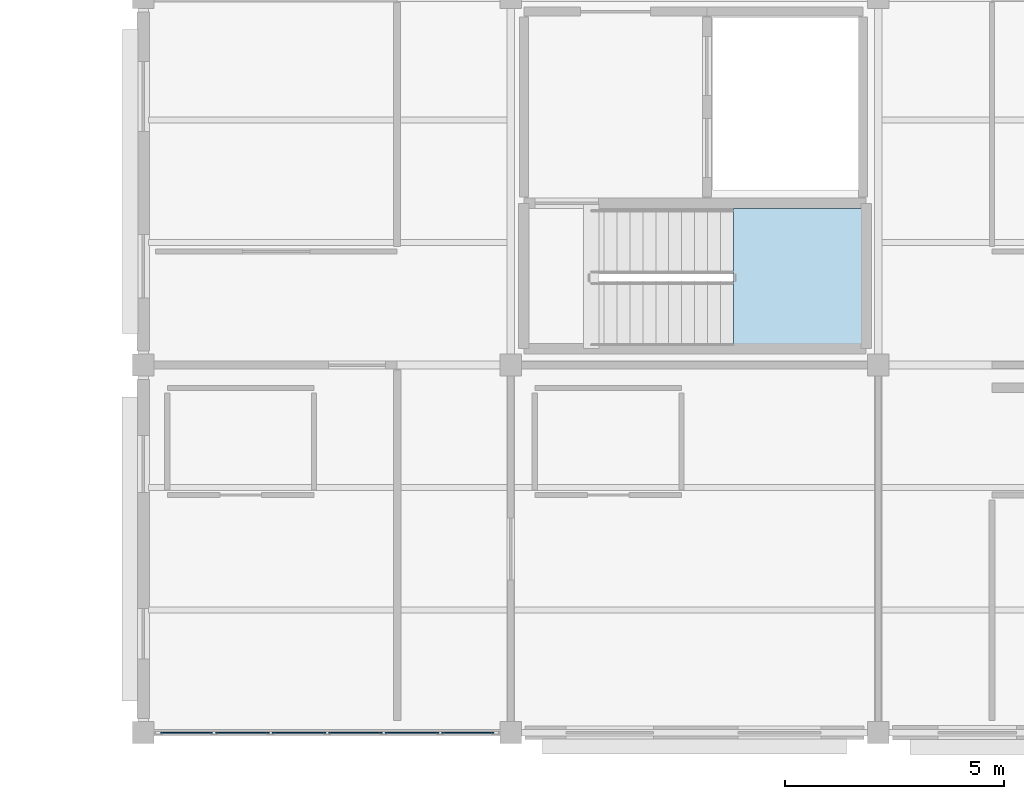
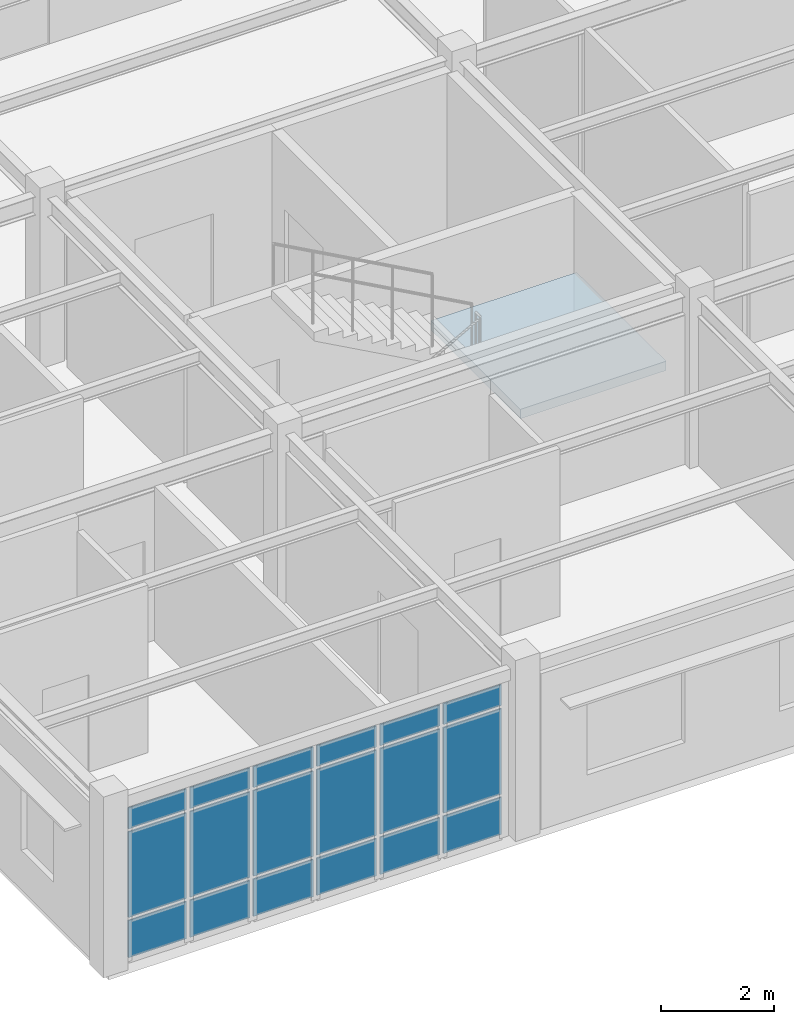
# One storey, part 27 of 53: 18 plates, 1 slab, 2 elements without a shape of their own.
"""IFC4 building model written with IfcOpenShell, lengths in metres."""

from ifc_helpers import new_model, si_unit, direction, frame, origin, origin_2d, place, context, subcontext, project, spatial, polyline, rectangle, outline, extrude, material, layer, layer_set, type_object, element, aggregate, save


model = new_model("IFC4")

# Units and contexts
model_context = context("Model", 3, precision=1e-05, world=origin(), true_north=direction((0.0, 1.0)))
body_context = subcontext(model_context, "Body", "Model", "MODEL_VIEW")
ifc_project = project(units=[si_unit("LENGTHUNIT", "METRE"), si_unit("AREAUNIT", "SQUARE_METRE"), si_unit("VOLUMEUNIT", "CUBIC_METRE"), si_unit("PLANEANGLEUNIT", "RADIAN"), si_unit("MASSUNIT", "GRAM", prefix="KILO")], contexts=[model_context])

# Site, building, storey
site_placement = place(None, origin())
site = spatial("IfcSite", under=ifc_project, at=site_placement, CompositionType="ELEMENT")
building_placement = place(site_placement, origin())
building = spatial("IfcBuilding", under=site, at=building_placement, Name="Bramfleet General Hospital", CompositionType="ELEMENT")
storey_placement = place(building_placement, frame((0.0, 0.0, 26.39990234375)))
storey = spatial("IfcBuildingStorey", under=building, at=storey_placement, Name="L06", CompositionType="ELEMENT", Elevation=26.39990234375)

# Curtain wall, plates
ifc_material_1 = material(Name="Anodised aluminium and low-E triple glazing", Category="aluminium")
ifc_layer_1 = layer(ifc_material_1, 0.179931640625, Name="CWT-CW-05")
ifc_layer_set_1 = layer_set([ifc_layer_1], Name="Anodised aluminium and low-E triple glazing")
curtain_wall_type = type_object("IfcCurtainWallType", Name="CWT-CW-05", PredefinedType="USERDEFINED", material=ifc_layer_set_1)
curtain_wall_placement = place(storey_placement, origin())
curtain_wall = element("IfcCurtainWall", 1, at=curtain_wall_placement, inside=storey, type_object=curtain_wall_type, Name="L06 Curtain Wall 221", ObjectType="Unitised curtain wall", PredefinedType="USERDEFINED")
ifc_material_2 = material(Name="Low-E laminated safety glass", Category="glass")
ifc_layer_2 = layer(ifc_material_2, 0.028076171875, Name="CWP-GLZ-1")
ifc_layer_set_2 = layer_set([ifc_layer_2], Name="Low-E laminated safety glass")
plate_type = type_object("IfcPlateType", Name="CWP-GLZ-1", PredefinedType="CURTAIN_PANEL", material=ifc_layer_set_2)
plate_1_placement = place(storey_placement, frame((99.811767578125, 0.0, 0.06494140625), z_axis=(0.0, 0.0, 1.0), x_axis=(-1.0, 0.0, 0.0)))
plate_1 = element("IfcPlate", 2, at=plate_1_placement, type_object=plate_type, Name="CW-05 panel 1.1", PredefinedType="CURTAIN_PANEL", context=body_context, shape_type="SweptSolid", body=[
    extrude(rectangle(XDim=1.186767578125, YDim=0.028076171875, at=origin_2d()), origin(), (0.0, 0.0, 1.0), 0.802490234375),
])
plate_2_placement = place(storey_placement, frame((99.811767578125, 0.0, 0.9326171875), z_axis=(0.0, 0.0, 1.0), x_axis=(-1.0, 0.0, 0.0)))
plate_2 = element("IfcPlate", 3, at=plate_2_placement, type_object=plate_type, Name="CW-05 panel 1.2", PredefinedType="CURTAIN_PANEL", context=body_context, shape_type="SweptSolid", body=[
    extrude(rectangle(XDim=1.186767578125, YDim=0.028076171875, at=origin_2d()), origin(), (0.0, 0.0, 1.0), 1.844970703125),
])
plate_3_placement = place(storey_placement, frame((99.811767578125, 0.0, 2.8427734375), z_axis=(0.0, 0.0, 1.0), x_axis=(-1.0, 0.0, 0.0)))
plate_3 = element("IfcPlate", 4, at=plate_3_placement, type_object=plate_type, Name="CW-05 panel 1.3", PredefinedType="CURTAIN_PANEL", context=body_context, shape_type="SweptSolid", body=[
    extrude(rectangle(XDim=1.186767578125, YDim=0.028076171875, at=origin_2d()), origin(), (0.0, 0.0, 1.0), 0.452392578125),
])
plate_4_placement = place(storey_placement, frame((98.53759765625, 0.0, 0.06494140625), z_axis=(0.0, 0.0, 1.0), x_axis=(-1.0, 0.0, 0.0)))
plate_4 = element("IfcPlate", 5, at=plate_4_placement, type_object=plate_type, Name="CW-05 panel 2.1", PredefinedType="CURTAIN_PANEL", context=body_context, shape_type="SweptSolid", body=[
    extrude(rectangle(XDim=1.2216796875, YDim=0.028076171875, at=origin_2d()), origin(), (0.0, 0.0, 1.0), 0.802490234375),
])
plate_5_placement = place(storey_placement, frame((98.53759765625, 0.0, 0.9326171875), z_axis=(0.0, 0.0, 1.0), x_axis=(-1.0, 0.0, 0.0)))
plate_5 = element("IfcPlate", 6, at=plate_5_placement, type_object=plate_type, Name="CW-05 panel 2.2", PredefinedType="CURTAIN_PANEL", context=body_context, shape_type="SweptSolid", body=[
    extrude(rectangle(XDim=1.2216796875, YDim=0.028076171875, at=origin_2d()), origin(), (0.0, 0.0, 1.0), 1.844970703125),
])
plate_6_placement = place(storey_placement, frame((98.53759765625, 0.0, 2.8427734375), z_axis=(0.0, 0.0, 1.0), x_axis=(-1.0, 0.0, 0.0)))
plate_6 = element("IfcPlate", 7, at=plate_6_placement, type_object=plate_type, Name="CW-05 panel 2.3", PredefinedType="CURTAIN_PANEL", context=body_context, shape_type="SweptSolid", body=[
    extrude(rectangle(XDim=1.2216796875, YDim=0.028076171875, at=origin_2d()), origin(), (0.0, 0.0, 1.0), 0.452392578125),
])
plate_7_placement = place(storey_placement, frame((97.245849609375, 0.0, 0.06494140625), z_axis=(0.0, 0.0, 1.0), x_axis=(-1.0, 0.0, 0.0)))
plate_7 = element("IfcPlate", 8, at=plate_7_placement, type_object=plate_type, Name="CW-05 panel 3.1", PredefinedType="CURTAIN_PANEL", context=body_context, shape_type="SweptSolid", body=[
    extrude(rectangle(XDim=1.2216796875, YDim=0.028076171875, at=origin_2d()), origin(), (0.0, 0.0, 1.0), 0.802490234375),
])
plate_8_placement = place(storey_placement, frame((97.245849609375, 0.0, 0.9326171875), z_axis=(0.0, 0.0, 1.0), x_axis=(-1.0, 0.0, 0.0)))
plate_8 = element("IfcPlate", 9, at=plate_8_placement, type_object=plate_type, Name="CW-05 panel 3.2", PredefinedType="CURTAIN_PANEL", context=body_context, shape_type="SweptSolid", body=[
    extrude(rectangle(XDim=1.2216796875, YDim=0.028076171875, at=origin_2d()), origin(), (0.0, 0.0, 1.0), 1.844970703125),
])
plate_9_placement = place(storey_placement, frame((97.245849609375, 0.0, 2.8427734375), z_axis=(0.0, 0.0, 1.0), x_axis=(-1.0, 0.0, 0.0)))
plate_9 = element("IfcPlate", 10, at=plate_9_placement, type_object=plate_type, Name="CW-05 panel 3.3", PredefinedType="CURTAIN_PANEL", context=body_context, shape_type="SweptSolid", body=[
    extrude(rectangle(XDim=1.2216796875, YDim=0.028076171875, at=origin_2d()), origin(), (0.0, 0.0, 1.0), 0.452392578125),
])
plate_10_placement = place(storey_placement, frame((95.9541015625, 0.0, 0.06494140625), z_axis=(0.0, 0.0, 1.0), x_axis=(-1.0, 0.0, 0.0)))
plate_10 = element("IfcPlate", 11, at=plate_10_placement, type_object=plate_type, Name="CW-05 panel 4.1", PredefinedType="CURTAIN_PANEL", context=body_context, shape_type="SweptSolid", body=[
    extrude(rectangle(XDim=1.2216796875, YDim=0.028076171875, at=origin_2d()), origin(), (0.0, 0.0, 1.0), 0.802490234375),
])
plate_11_placement = place(storey_placement, frame((95.9541015625, 0.0, 0.9326171875), z_axis=(0.0, 0.0, 1.0), x_axis=(-1.0, 0.0, 0.0)))
plate_11 = element("IfcPlate", 12, at=plate_11_placement, type_object=plate_type, Name="CW-05 panel 4.2", PredefinedType="CURTAIN_PANEL", context=body_context, shape_type="SweptSolid", body=[
    extrude(rectangle(XDim=1.2216796875, YDim=0.028076171875, at=origin_2d()), origin(), (0.0, 0.0, 1.0), 1.844970703125),
])
plate_12_placement = place(storey_placement, frame((95.9541015625, 0.0, 2.8427734375), z_axis=(0.0, 0.0, 1.0), x_axis=(-1.0, 0.0, 0.0)))
plate_12 = element("IfcPlate", 13, at=plate_12_placement, type_object=plate_type, Name="CW-05 panel 4.3", PredefinedType="CURTAIN_PANEL", context=body_context, shape_type="SweptSolid", body=[
    extrude(rectangle(XDim=1.2216796875, YDim=0.028076171875, at=origin_2d()), origin(), (0.0, 0.0, 1.0), 0.452392578125),
])
plate_13_placement = place(storey_placement, frame((94.66259765625, 0.0, 0.06494140625), z_axis=(0.0, 0.0, 1.0), x_axis=(-1.0, 0.0, 0.0)))
plate_13 = element("IfcPlate", 14, at=plate_13_placement, type_object=plate_type, Name="CW-05 panel 5.1", PredefinedType="CURTAIN_PANEL", context=body_context, shape_type="SweptSolid", body=[
    extrude(rectangle(XDim=1.2216796875, YDim=0.028076171875, at=origin_2d()), origin(), (0.0, 0.0, 1.0), 0.802490234375),
])
plate_14_placement = place(storey_placement, frame((94.66259765625, 0.0, 0.9326171875), z_axis=(0.0, 0.0, 1.0), x_axis=(-1.0, 0.0, 0.0)))
plate_14 = element("IfcPlate", 15, at=plate_14_placement, type_object=plate_type, Name="CW-05 panel 5.2", PredefinedType="CURTAIN_PANEL", context=body_context, shape_type="SweptSolid", body=[
    extrude(rectangle(XDim=1.2216796875, YDim=0.028076171875, at=origin_2d()), origin(), (0.0, 0.0, 1.0), 1.844970703125),
])
plate_15_placement = place(storey_placement, frame((94.66259765625, 0.0, 2.8427734375), z_axis=(0.0, 0.0, 1.0), x_axis=(-1.0, 0.0, 0.0)))
plate_15 = element("IfcPlate", 16, at=plate_15_placement, type_object=plate_type, Name="CW-05 panel 5.3", PredefinedType="CURTAIN_PANEL", context=body_context, shape_type="SweptSolid", body=[
    extrude(rectangle(XDim=1.2216796875, YDim=0.028076171875, at=origin_2d()), origin(), (0.0, 0.0, 1.0), 0.452392578125),
])
plate_16_placement = place(storey_placement, frame((93.388427734375, 0.0, 0.06494140625), z_axis=(0.0, 0.0, 1.0), x_axis=(-1.0, 0.0, 0.0)))
plate_16 = element("IfcPlate", 17, at=plate_16_placement, type_object=plate_type, Name="CW-05 panel 6.1", PredefinedType="CURTAIN_PANEL", context=body_context, shape_type="SweptSolid", body=[
    extrude(rectangle(XDim=1.186767578125, YDim=0.028076171875, at=origin_2d()), origin(), (0.0, 0.0, 1.0), 0.802490234375),
])
plate_17_placement = place(storey_placement, frame((93.388427734375, 0.0, 0.9326171875), z_axis=(0.0, 0.0, 1.0), x_axis=(-1.0, 0.0, 0.0)))
plate_17 = element("IfcPlate", 18, at=plate_17_placement, type_object=plate_type, Name="CW-05 panel 6.2", PredefinedType="CURTAIN_PANEL", context=body_context, shape_type="SweptSolid", body=[
    extrude(rectangle(XDim=1.186767578125, YDim=0.028076171875, at=origin_2d()), origin(), (0.0, 0.0, 1.0), 1.844970703125),
])
plate_18_placement = place(storey_placement, frame((93.388427734375, 0.0, 2.8427734375), z_axis=(0.0, 0.0, 1.0), x_axis=(-1.0, 0.0, 0.0)))
plate_18 = element("IfcPlate", 19, at=plate_18_placement, type_object=plate_type, Name="CW-05 panel 6.3", PredefinedType="CURTAIN_PANEL", context=body_context, shape_type="SweptSolid", body=[
    extrude(rectangle(XDim=1.186767578125, YDim=0.028076171875, at=origin_2d()), origin(), (0.0, 0.0, 1.0), 0.452392578125),
])
aggregate(curtain_wall, [plate_1, plate_2, plate_3, plate_4, plate_5, plate_6, plate_7, plate_8, plate_9, plate_10, plate_11, plate_12, plate_13, plate_14, plate_15, plate_16, plate_17, plate_18])

# Stair, slab
ifc_material_3 = material(Name="Concrete C35/45", Category="concrete")
stair_type = type_object("IfcStairType", Name="STR-T4", PredefinedType="HALF_TURN_STAIR", material=ifc_material_3)
stair_placement = place(storey_placement, origin())
stair = element("IfcStair", 20, at=stair_placement, inside=storey, type_object=stair_type, Name="L06 Core C3 (South Ward Wing) Protected Escape Stair", PredefinedType="HALF_TURN_STAIR")
ifc_layer_3 = layer(ifc_material_3, 0.199951171875, Name="SL-LND-200")
ifc_layer_set_3 = layer_set([ifc_layer_3], Name="Concrete C35/45")
slab_type = type_object("IfcSlabType", Name="SL-LND-200", PredefinedType="LANDING", material=ifc_layer_set_3)
slab_placement = place(storey_placement, frame((0.0, 0.0, 1.75)))
slab = element("IfcSlab", 21, at=slab_placement, type_object=slab_type, Name="ST-C3 landing 1", PredefinedType="LANDING", context=body_context, shape_type="SweptSolid", body=[
    extrude(outline(polyline([(105.885009765625, 8.820068359375), (108.860107421875, 8.820068359375), (108.860107421875, 11.97998046875), (105.885009765625, 11.97998046875), (105.885009765625, 8.820068359375)])), origin(), (0.0, 0.0, 1.0), 0.2001953125),
])
aggregate(stair, [slab])

save(model, "model.ifc")
